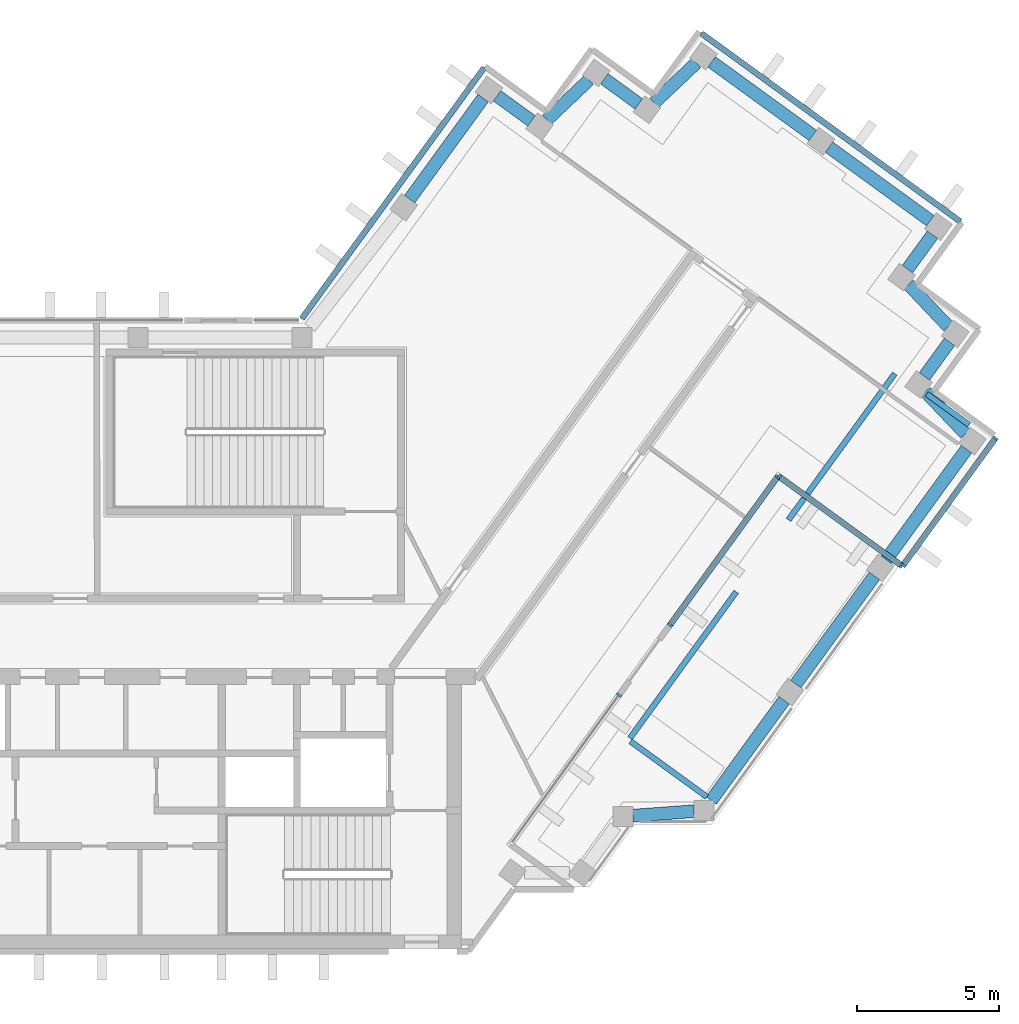
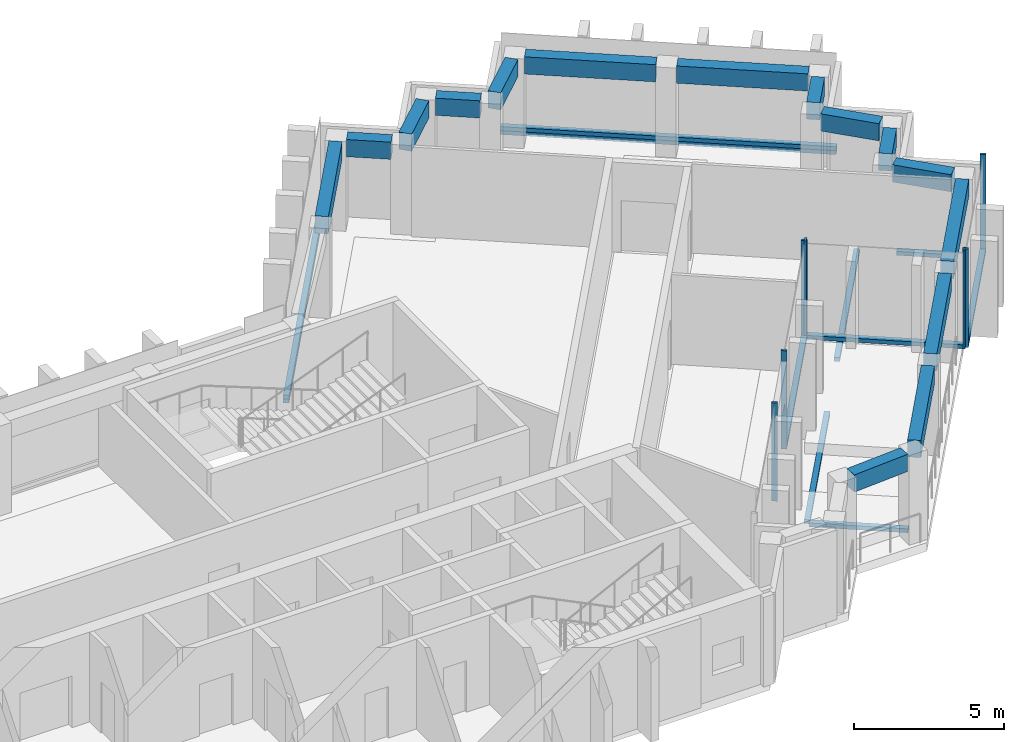
"""IFC4 building model written with IfcOpenShell, lengths in metres."""

from ifc_helpers import new_model, si_unit, direction, frame, origin, origin_2d, place, context, subcontext, project, spatial, rectangle, extrude, material, material_profile, profile_set, type_object, element, aggregate, save


model = new_model("IFC4")

# Units and contexts
model_context = context("Model", 3, precision=1e-05, world=origin(), true_north=direction((0.0, 1.0)))
body_context = subcontext(model_context, "Body", "Model", "MODEL_VIEW")
ifc_project = project(units=[si_unit("LENGTHUNIT", "METRE"), si_unit("AREAUNIT", "SQUARE_METRE"), si_unit("VOLUMEUNIT", "CUBIC_METRE"), si_unit("PLANEANGLEUNIT", "RADIAN"), si_unit("MASSUNIT", "GRAM", prefix="KILO")], contexts=[model_context])

# Site, building, storey
site_placement = place(None, origin())
site = spatial("IfcSite", under=ifc_project, at=site_placement, CompositionType="ELEMENT")
building_placement = place(site_placement, origin())
building = spatial("IfcBuilding", under=site, at=building_placement, Name="Quipu Civic Tower", CompositionType="ELEMENT")
storey_1_placement = place(building_placement, frame((0.0, 0.0, 319.0)))
storey_1 = spatial("IfcBuildingStorey", under=building, at=storey_1_placement, Name="L74", CompositionType="ELEMENT", Elevation=319.0)

# Curtain wall, member
ifc_material_1 = material(Name="Insulated glass unit", Category="glass")
curtain_wall_type = type_object("IfcCurtainWallType", Name="Office curtain wall CW1", PredefinedType="NOTDEFINED", material=ifc_material_1)
curtain_wall_1_placement = place(storey_1_placement, origin())
curtain_wall_1 = element("IfcCurtainWall", 1, at=curtain_wall_1_placement, inside=storey_1, type_object=curtain_wall_type, Name="Office curtain wall CW1 L74 run 3", PredefinedType="NOTDEFINED")
ifc_material_2 = material(Name="Anodised aluminium", Category="aluminium")
ifc_material_profile_1 = material_profile(ifc_material_2, rectangle(XDim=0.199951171875, YDim=0.080078125, at=origin_2d()), Name="RECT 200x80")
ifc_profile_set_1 = profile_set([ifc_material_profile_1], Name="Anodised aluminium")
member_type_1 = type_object("IfcMemberType", Name="Mullion CW1", PredefinedType="MULLION", material=ifc_profile_set_1)
member_1_placement = place(storey_1_placement, frame((25.539306640625, -2.073486328125, 0.080078125), z_axis=(0.0, 0.0, 1.0), x_axis=(-0.809018600878, 0.587783041125, 0.0)))
member_1 = element("IfcMember", 2, at=member_1_placement, type_object=member_type_1, Name="CW1 mullion 2", PredefinedType="MULLION", context=body_context, shape_type="SweptSolid", body=[
    extrude(rectangle(XDim=0.199951171875, YDim=0.080078125, at=origin_2d()), origin(), (0.0, 0.0, 1.0), 4.0),
])
aggregate(curtain_wall_1, [member_1])

# Curtain wall, members
curtain_wall_2_placement = place(storey_1_placement, origin())
curtain_wall_2 = element("IfcCurtainWall", 3, at=curtain_wall_2_placement, inside=storey_1, type_object=curtain_wall_type, Name="Office curtain wall CW1 L74 run 5", PredefinedType="NOTDEFINED")
member_2_placement = place(storey_1_placement, frame((27.327880859375, 0.388427734375, 0.080078125), z_axis=(0.0, 0.0, 1.0), x_axis=(-0.809021906018, 0.587778491936, 0.0)))
member_2 = element("IfcMember", 4, at=member_2_placement, type_object=member_type_1, Name="CW1 mullion 1", PredefinedType="MULLION", context=body_context, shape_type="SweptSolid", body=[
    extrude(rectangle(XDim=0.199951171875, YDim=0.080078125, at=origin_2d()), origin(), (0.0, 0.0, 1.0), 4.0),
])
member_3_placement = place(storey_1_placement, frame((31.1123046875, 5.597412109375, 0.080078125), z_axis=(0.0, 0.0, 1.0), x_axis=(-0.809021906018, 0.587778491936, 0.0)))
member_3 = element("IfcMember", 5, at=member_3_placement, type_object=member_type_1, Name="CW1 mullion 2", PredefinedType="MULLION", context=body_context, shape_type="SweptSolid", body=[
    extrude(rectangle(XDim=0.199951171875, YDim=0.080078125, at=origin_2d()), origin(), (0.0, 0.0, 1.0), 4.0),
])

curtain_wall_3_placement = place(storey_1_placement, origin())
curtain_wall_3 = element("IfcCurtainWall", 6, at=curtain_wall_3_placement, inside=storey_1, type_object=curtain_wall_type, Name="Office curtain wall CW1 L74 run 6", PredefinedType="NOTDEFINED")
member_4_placement = place(storey_1_placement, frame((31.168212890625, 5.606201171875, 0.080078125), z_axis=(0.0, 0.0, 1.0), x_axis=(0.587779635352, 0.809021075291, 0.0)))
member_4 = element("IfcMember", 7, at=member_4_placement, type_object=member_type_1, Name="CW1 mullion 1", PredefinedType="MULLION", context=body_context, shape_type="SweptSolid", body=[
    extrude(rectangle(XDim=0.199951171875, YDim=0.080078125, at=origin_2d()), origin(), (0.0, 0.0, 1.0), 4.0),
])
member_5_placement = place(storey_1_placement, frame((35.47216796875, 2.479248046875, 0.080078125), z_axis=(0.0, 0.0, 1.0), x_axis=(0.587779635352, 0.809021075291, 0.0)))
member_5 = element("IfcMember", 8, at=member_5_placement, type_object=member_type_1, Name="CW1 mullion 2", PredefinedType="MULLION", context=body_context, shape_type="SweptSolid", body=[
    extrude(rectangle(XDim=0.199951171875, YDim=0.080078125, at=origin_2d()), origin(), (0.0, 0.0, 1.0), 4.0),
])

curtain_wall_4_placement = place(storey_1_placement, origin())
curtain_wall_4 = element("IfcCurtainWall", 9, at=curtain_wall_4_placement, inside=storey_1, type_object=curtain_wall_type, Name="Office curtain wall CW1 L74 run 7", PredefinedType="NOTDEFINED")
member_6_placement = place(storey_1_placement, frame((35.528076171875, 2.488037109375, 0.080078125), z_axis=(0.0, 0.0, 1.0), x_axis=(-0.809010903145, 0.587793636059, 0.0)))
member_6 = element("IfcMember", 10, at=member_6_placement, type_object=member_type_1, Name="CW1 mullion 1", PredefinedType="MULLION", context=body_context, shape_type="SweptSolid", body=[
    extrude(rectangle(XDim=0.199951171875, YDim=0.080078125, at=origin_2d()), origin(), (0.0, 0.0, 1.0), 4.0),
])
member_7_placement = place(storey_1_placement, frame((38.772705078125, 6.953857421875, 0.080078125), z_axis=(0.0, 0.0, 1.0), x_axis=(-0.809010903145, 0.587793636059, 0.0)))
member_7 = element("IfcMember", 11, at=member_7_placement, type_object=member_type_1, Name="CW1 mullion 2", PredefinedType="MULLION", context=body_context, shape_type="SweptSolid", body=[
    extrude(rectangle(XDim=0.199951171875, YDim=0.080078125, at=origin_2d()), origin(), (0.0, 0.0, 1.0), 4.0),
])

# Beams
ifc_material_3 = material(Name="Concrete C50/60", Category="concrete")
ifc_material_profile_2 = material_profile(ifc_material_3, rectangle(XDim=0.449951171875, YDim=0.699951171875, at=origin_2d()), Name="RC450x700")
ifc_profile_set_2 = profile_set([ifc_material_profile_2], Name="Concrete C50/60")
beam_type = type_object("IfcBeamType", Name="Spandrel beam RC 450x700 C50/60", PredefinedType="SPANDREL", material=ifc_profile_set_2)
beam_1_placement = place(storey_1_placement, frame((26.0244140625, -6.3115234375, 3.300048828125), z_axis=(0.997379352029, 0.072349347934, 0.0), x_axis=(-0.072349347934, 0.997379352029, 0.0)))
element("IfcBeam", 12, at=beam_1_placement, inside=storey_1, type_object=beam_type, Name="Spandrel beam L74 J-Eo.3 to J-Eo.4", PredefinedType="SPANDREL", context=body_context, shape_type="SweptSolid", body=[
    extrude(rectangle(XDim=0.449951171875, YDim=0.699951171875, at=origin_2d()), origin(), (0.0, 0.0, 1.0), 2.15625),
])
beam_2_placement = place(storey_1_placement, frame((28.779296875, -5.780029296875, 3.300048828125), z_axis=(0.58777550284, 0.809024077677, 0.0), x_axis=(-0.809024077677, 0.58777550284, 0.0)))
element("IfcBeam", 13, at=beam_2_placement, inside=storey_1, type_object=beam_type, Name="Spandrel beam L74 J-Eo.4 to E-OUT-01", PredefinedType="SPANDREL", context=body_context, shape_type="SweptSolid", body=[
    extrude(rectangle(XDim=0.449951171875, YDim=0.699951171875, at=origin_2d()), origin(), (0.0, 0.0, 1.0), 4.36083984375),
])
beam_3_placement = place(storey_1_placement, frame((31.75390625, -1.685546875, 3.300048828125), z_axis=(0.587788656305, 0.809014521204, 0.0), x_axis=(-0.809014521204, 0.587788656305, 0.0)))
element("IfcBeam", 14, at=beam_3_placement, inside=storey_1, type_object=beam_type, Name="Spandrel beam L74 E-OUT-01 to E-OUT-02", PredefinedType="SPANDREL", context=body_context, shape_type="SweptSolid", body=[
    extrude(rectangle(XDim=0.449951171875, YDim=0.699951171875, at=origin_2d()), origin(), (0.0, 0.0, 1.0), 4.7001953125),
])
beam_4_placement = place(storey_1_placement, frame((34.927978515625, 2.68310546875, 3.300048828125), z_axis=(0.587905928359, 0.808929304328, 0.0), x_axis=(-0.808929304328, 0.587905928359, 0.0)))
element("IfcBeam", 15, at=beam_4_placement, inside=storey_1, type_object=beam_type, Name="Spandrel beam L74 E-OUT-02 to T-Eo.0-E22", PredefinedType="SPANDREL", context=body_context, shape_type="SweptSolid", body=[
    extrude(rectangle(XDim=0.449951171875, YDim=0.699951171875, at=origin_2d()), origin(), (0.0, 0.0, 1.0), 4.80712890625),
])
beam_5_placement = place(storey_1_placement, frame((37.71484375, 7.11279296875, 3.300048828125), z_axis=(-0.689175330605, 0.724594620244, 0.0), x_axis=(-0.724594620244, -0.689175330605, 0.0)))
element("IfcBeam", 16, at=beam_5_placement, inside=storey_1, type_object=beam_type, Name="Spandrel beam L74 T-Eo.0-E22 to T-Eo.1-E22", PredefinedType="SPANDREL", context=body_context, shape_type="SweptSolid", body=[
    extrude(rectangle(XDim=0.449951171875, YDim=0.699951171875, at=origin_2d()), origin(), (0.0, 0.0, 1.0), 2.033447265625),
])
beam_6_placement = place(storey_1_placement, frame((36.273681640625, 9.12744140625, 3.300048828125), z_axis=(0.587164895097, 0.809467347066, 0.0), x_axis=(-0.809467347066, 0.587164895097, 0.0)))
element("IfcBeam", 17, at=beam_6_placement, inside=storey_1, type_object=beam_type, Name="Spandrel beam L74 T-Eo.1-E22 to T-Eo.2-E22", PredefinedType="SPANDREL", context=body_context, shape_type="SweptSolid", body=[
    extrude(rectangle(XDim=0.449951171875, YDim=0.699951171875, at=origin_2d()), origin(), (0.0, 0.0, 1.0), 1.500244140625),
])
beam_7_placement = place(storey_1_placement, frame((37.114990234375, 10.88330078125, 3.300048828125), z_axis=(-0.688247466856, 0.725475998477, 0.0), x_axis=(-0.725475998477, -0.688247466856, 0.0)))
element("IfcBeam", 18, at=beam_7_placement, inside=storey_1, type_object=beam_type, Name="Spandrel beam L74 T-Eo.2-E22 to T-Eo.3-E22", PredefinedType="SPANDREL", context=body_context, shape_type="SweptSolid", body=[
    extrude(rectangle(XDim=0.449951171875, YDim=0.699951171875, at=origin_2d()), origin(), (0.0, 0.0, 1.0), 2.032958984375),
])
beam_8_placement = place(storey_1_placement, frame((35.6767578125, 12.8994140625, 3.300048828125), z_axis=(0.588345920092, 0.808609348394, 0.0), x_axis=(-0.808609348394, 0.588345920092, 0.0)))
element("IfcBeam", 19, at=beam_8_placement, inside=storey_1, type_object=beam_type, Name="Spandrel beam L74 T-Eo.3-E22 to T-Eo.4-E22", PredefinedType="SPANDREL", context=body_context, shape_type="SweptSolid", body=[
    extrude(rectangle(XDim=0.449951171875, YDim=0.699951171875, at=origin_2d()), origin(), (0.0, 0.0, 1.0), 1.499755859375),
])
beam_9_placement = place(storey_1_placement, frame((36.481689453125, 14.6005859375, 3.300048828125), z_axis=(-0.809117270763, 0.587647208921, 0.0), x_axis=(-0.587647208921, -0.809117270763, 0.0)))
element("IfcBeam", 20, at=beam_9_placement, inside=storey_1, type_object=beam_type, Name="Spandrel beam L74 T-Eo.4-E22 to TIP-E-01-E22", PredefinedType="SPANDREL", context=body_context, shape_type="SweptSolid", body=[
    extrude(rectangle(XDim=0.449951171875, YDim=0.699951171875, at=origin_2d()), origin(), (0.0, 0.0, 1.0), 4.40185546875),
])
beam_10_placement = place(storey_1_placement, frame((32.353759765625, 17.5986328125, 3.300048828125), z_axis=(-0.809146152767, 0.587607439931, 0.0), x_axis=(-0.587607439931, -0.809146152767, 0.0)))
element("IfcBeam", 21, at=beam_10_placement, inside=storey_1, type_object=beam_type, Name="Spandrel beam L74 TIP-E-01-E22 to T-Ei.0-E22", PredefinedType="SPANDREL", context=body_context, shape_type="SweptSolid", body=[
    extrude(rectangle(XDim=0.449951171875, YDim=0.699951171875, at=origin_2d()), origin(), (0.0, 0.0, 1.0), 4.400390625),
])
beam_11_placement = place(storey_1_placement, frame((28.251708984375, 20.14501953125, 3.300048828125), z_axis=(-0.725359138958, -0.688370626574, 0.0), x_axis=(0.688370626574, -0.725359138958, 0.0)))
element("IfcBeam", 22, at=beam_11_placement, inside=storey_1, type_object=beam_type, Name="Spandrel beam L74 T-Ei.0-E22 to T-Ei.1-E22", PredefinedType="SPANDREL", context=body_context, shape_type="SweptSolid", body=[
    extrude(rectangle(XDim=0.449951171875, YDim=0.699951171875, at=origin_2d()), origin(), (0.0, 0.0, 1.0), 2.032958984375),
])
beam_12_placement = place(storey_1_placement, frame((26.236083984375, 18.70654296875, 3.300048828125), z_axis=(-0.808644589435, 0.588297482553, 0.0), x_axis=(-0.588297482553, -0.808644589435, 0.0)))
element("IfcBeam", 23, at=beam_12_placement, inside=storey_1, type_object=beam_type, Name="Spandrel beam L74 T-Ei.1-E22 to T-Ei.2-E22", PredefinedType="SPANDREL", context=body_context, shape_type="SweptSolid", body=[
    extrude(rectangle(XDim=0.449951171875, YDim=0.699951171875, at=origin_2d()), origin(), (0.0, 0.0, 1.0), 1.500244140625),
])
beam_13_placement = place(storey_1_placement, frame((24.48193359375, 19.5498046875, 3.300048828125), z_axis=(-0.72511931772, -0.6886232461, 0.0), x_axis=(0.6886232461, -0.72511931772, 0.0)))
element("IfcBeam", 24, at=beam_13_placement, inside=storey_1, type_object=beam_type, Name="Spandrel beam L74 T-Ei.2-E22 to T-Ei.3-E22", PredefinedType="SPANDREL", context=body_context, shape_type="SweptSolid", body=[
    extrude(rectangle(XDim=0.449951171875, YDim=0.699951171875, at=origin_2d()), origin(), (0.0, 0.0, 1.0), 2.03369140625),
])
beam_14_placement = place(storey_1_placement, frame((22.466064453125, 18.10986328125, 3.300048828125), z_axis=(-0.809461336076, 0.587173181776, 0.0), x_axis=(-0.587173181776, -0.809461336076, 0.0)))
element("IfcBeam", 25, at=beam_14_placement, inside=storey_1, type_object=beam_type, Name="Spandrel beam L74 T-Ei.3-E22 to T-Ei.4-E22", PredefinedType="SPANDREL", context=body_context, shape_type="SweptSolid", body=[
    extrude(rectangle(XDim=0.449951171875, YDim=0.699951171875, at=origin_2d()), origin(), (0.0, 0.0, 1.0), 1.498046875),
])
beam_15_placement = place(storey_1_placement, frame((20.76416015625, 18.911865234375, 3.300048828125), z_axis=(-0.588201428764, -0.808714460857, 0.0), x_axis=(0.808714460857, -0.588201428764, 0.0)))
element("IfcBeam", 26, at=beam_15_placement, inside=storey_1, type_object=beam_type, Name="Spandrel beam L74 T-Ei.4-E22 to E-IN-01", PredefinedType="SPANDREL", context=body_context, shape_type="SweptSolid", body=[
    extrude(rectangle(XDim=0.449951171875, YDim=0.699951171875, at=origin_2d()), origin(), (0.0, 0.0, 1.0), 4.394287109375),
])

# Storey
storey_2_placement = place(building_placement, frame((0.0, 0.0, 311.0)))
storey_2 = spatial("IfcBuildingStorey", under=building, at=storey_2_placement, Name="L72", CompositionType="ELEMENT", Elevation=311.0)

# Curtain wall, member
curtain_wall_5_placement = place(storey_2_placement, origin())
curtain_wall_5 = element("IfcCurtainWall", 27, at=curtain_wall_5_placement, inside=storey_2, type_object=curtain_wall_type, Name="Office curtain wall CW1 L71 run 6", PredefinedType="NOTDEFINED")
ifc_material_4 = material(Name="Anodised aluminium", Category="aluminium")
ifc_material_profile_3 = material_profile(ifc_material_4, rectangle(XDim=0.199951171875, YDim=0.159912109375, at=origin_2d()), Name="RECT 200x160")
ifc_profile_set_3 = profile_set([ifc_material_profile_3], Name="Anodised aluminium")
member_type_2 = type_object("IfcMemberType", Name="Transom CW1", PredefinedType="USERDEFINED", material=ifc_profile_set_3)
member_8_placement = place(storey_1_placement, frame((37.536865234375, 14.575927734375, 0.0), z_axis=(-0.809022463805, 0.587777724194, 0.0), x_axis=(-0.587777724194, -0.809022463805, 0.0)))
member_8 = element("IfcMember", 28, at=member_8_placement, inside=storey_1, type_object=member_type_2, Name="CW1 transom 1.4", ObjectType="TRANSOM", PredefinedType="USERDEFINED", context=body_context, shape_type="SweptSolid", body=[
    extrude(rectangle(XDim=0.199951171875, YDim=0.159912109375, at=origin_2d()), origin(), (0.0, 0.0, 1.0), 11.240234375),
])
aggregate(curtain_wall_5, [member_8])

curtain_wall_6_placement = place(storey_2_placement, origin())
curtain_wall_6 = element("IfcCurtainWall", 29, at=curtain_wall_6_placement, inside=storey_2, type_object=curtain_wall_type, Name="Office curtain wall CW1 L71 run 11", PredefinedType="NOTDEFINED")
member_9_placement = place(storey_1_placement, frame((20.788818359375, 19.97021484375, 0.0), z_axis=(-0.587796859727, -0.809008560953, 0.0), x_axis=(0.809008560953, -0.587796859727, 0.0)))
member_9 = element("IfcMember", 30, at=member_9_placement, inside=storey_1, type_object=member_type_2, Name="CW1 transom 1.4", ObjectType="TRANSOM", PredefinedType="USERDEFINED", context=body_context, shape_type="SweptSolid", body=[
    extrude(rectangle(XDim=0.199951171875, YDim=0.159912109375, at=origin_2d()), origin(), (0.0, 0.0, 1.0), 10.88427734375),
])
aggregate(curtain_wall_6, [member_9])

# Storey
storey_3_placement = place(building_placement, frame((0.0, 0.0, 315.0)))
storey_3 = spatial("IfcBuildingStorey", under=building, at=storey_3_placement, Name="L73", CompositionType="ELEMENT", Elevation=315.0)

# Curtain wall, member
curtain_wall_7_placement = place(storey_3_placement, origin())
curtain_wall_7 = element("IfcCurtainWall", 31, at=curtain_wall_7_placement, inside=storey_3, type_object=curtain_wall_type, Name="Office curtain wall CW1 L73 run 3", PredefinedType="NOTDEFINED")
member_10_placement = place(storey_1_placement, frame((28.630126953125, -5.652099609375, 0.0), z_axis=(-0.809012312399, 0.587791696426, 0.0), x_axis=(-0.587791696426, -0.809012312399, 0.0)))
member_10 = element("IfcMember", 32, at=member_10_placement, inside=storey_1, type_object=member_type_2, Name="CW1 transom 1.2", ObjectType="TRANSOM", PredefinedType="USERDEFINED", context=body_context, shape_type="SweptSolid", body=[
    extrude(rectangle(XDim=0.199951171875, YDim=0.159912109375, at=origin_2d()), origin(), (0.0, 0.0, 1.0), 3.323974609375),
])
aggregate(curtain_wall_7, [member_10])

curtain_wall_8_placement = place(storey_3_placement, origin())
curtain_wall_8 = element("IfcCurtainWall", 33, at=curtain_wall_8_placement, inside=storey_3, type_object=curtain_wall_type, Name="Office curtain wall CW1 L73 run 4", PredefinedType="NOTDEFINED")
member_11_placement = place(storey_1_placement, frame((25.923095703125, -3.58642578125, 0.0), z_axis=(0.587804073239, 0.809003319822, 0.0), x_axis=(-0.809003319822, 0.587804073239, 0.0)))
member_11 = element("IfcMember", 34, at=member_11_placement, inside=storey_1, type_object=member_type_2, Name="CW1 transom 1.2", ObjectType="TRANSOM", PredefinedType="USERDEFINED", context=body_context, shape_type="SweptSolid", body=[
    extrude(rectangle(XDim=0.199951171875, YDim=0.159912109375, at=origin_2d()), origin(), (0.0, 0.0, 1.0), 6.3583984375),
])
aggregate(curtain_wall_8, [member_11])

curtain_wall_9_placement = place(storey_3_placement, origin())
curtain_wall_9 = element("IfcCurtainWall", 35, at=curtain_wall_9_placement, inside=storey_3, type_object=curtain_wall_type, Name="Office curtain wall CW1 L73 run 6", PredefinedType="NOTDEFINED")
member_12_placement = place(storey_1_placement, frame((31.496337890625, 4.084228515625, 0.0), z_axis=(0.587778942742, 0.809021578494, 0.0), x_axis=(-0.809021578494, 0.587778942742, 0.0)))
member_12 = element("IfcMember", 36, at=member_12_placement, inside=storey_1, type_object=member_type_2, Name="CW1 transom 1.2", ObjectType="TRANSOM", PredefinedType="USERDEFINED", context=body_context, shape_type="SweptSolid", body=[
    extrude(rectangle(XDim=0.199951171875, YDim=0.159912109375, at=origin_2d()), origin(), (0.0, 0.0, 1.0), 6.3583984375),
])
aggregate(curtain_wall_9, [member_12])

curtain_wall_10_placement = place(storey_3_placement, origin())
curtain_wall_10 = element("IfcCurtainWall", 37, at=curtain_wall_10_placement, inside=storey_3, type_object=curtain_wall_type, Name="Office curtain wall CW1 L73 run 8", PredefinedType="NOTDEFINED")
member_13_placement = place(storey_1_placement, frame((36.357421875, 8.5107421875, 0.0), z_axis=(0.809017199524, -0.587784969929, 0.0), x_axis=(0.587784969929, 0.809017199524, 0.0)))
member_13 = element("IfcMember", 38, at=member_13_placement, inside=storey_1, type_object=member_type_2, Name="CW1 transom 1.2", ObjectType="TRANSOM", PredefinedType="USERDEFINED", context=body_context, shape_type="SweptSolid", body=[
    extrude(rectangle(XDim=0.199951171875, YDim=0.159912109375, at=origin_2d()), origin(), (0.0, 0.0, 1.0), 1.839599609375),
])
aggregate(curtain_wall_10, [member_13])

# Member
member_14_placement = place(storey_1_placement, frame((27.351318359375, 0.420654296875, 0.159912109375), z_axis=(0.587785815007, 0.809016585539, 0.0), x_axis=(-0.809016585539, 0.587785815007, 0.0)))
member_14 = element("IfcMember", 39, at=member_14_placement, type_object=member_type_2, Name="CW1 transom 1.1", ObjectType="TRANSOM", PredefinedType="USERDEFINED", context=body_context, shape_type="SweptSolid", body=[
    extrude(rectangle(XDim=0.199951171875, YDim=0.159912109375, at=origin_2d()), origin(), (0.0, 0.0, 1.0), 6.358642578125),
])

aggregate(curtain_wall_2, [member_2, member_3, member_14])

member_15_placement = place(storey_1_placement, frame((31.200439453125, 5.582763671875, 0.159912109375), z_axis=(0.809010003307, -0.587794874552, 0.0), x_axis=(0.587794874552, 0.809010003307, 0.0)))
member_15 = element("IfcMember", 40, at=member_15_placement, type_object=member_type_2, Name="CW1 transom 1.1", ObjectType="TRANSOM", PredefinedType="USERDEFINED", context=body_context, shape_type="SweptSolid", body=[
    extrude(rectangle(XDim=0.199951171875, YDim=0.159912109375, at=origin_2d()), origin(), (0.0, 0.0, 1.0), 5.239990234375),
])

aggregate(curtain_wall_3, [member_4, member_5, member_15])

member_16_placement = place(storey_1_placement, frame((35.551513671875, 2.5205078125, 0.159912109375), z_axis=(0.587795368516, 0.809009644412, 0.0), x_axis=(-0.809009644412, 0.587795368516, 0.0)))
member_16 = element("IfcMember", 41, at=member_16_placement, type_object=member_type_2, Name="CW1 transom 1.1", ObjectType="TRANSOM", PredefinedType="USERDEFINED", context=body_context, shape_type="SweptSolid", body=[
    extrude(rectangle(XDim=0.199951171875, YDim=0.159912109375, at=origin_2d()), origin(), (0.0, 0.0, 1.0), 5.43994140625),
])

aggregate(curtain_wall_4, [member_6, member_7, member_16])

# Storey
storey_4_placement = place(building_placement, frame((0.0, 0.0, 323.0)))
storey_4 = spatial("IfcBuildingStorey", under=building, at=storey_4_placement, Name="L75", CompositionType="ELEMENT", Elevation=323.0)

# Curtain wall, member
curtain_wall_11_placement = place(storey_4_placement, origin())
curtain_wall_11 = element("IfcCurtainWall", 42, at=curtain_wall_11_placement, inside=storey_4, type_object=curtain_wall_type, Name="Office curtain wall CW1 L74 run 28", PredefinedType="NOTDEFINED")
member_17_placement = place(storey_1_placement, frame((37.536865234375, 14.575927734375, 0.159912109375), z_axis=(-0.809022463805, 0.587777724194, 0.0), x_axis=(-0.587777724194, -0.809022463805, 0.0)))
member_17 = element("IfcMember", 43, at=member_17_placement, inside=storey_1, type_object=member_type_2, Name="CW1 transom 1.1", ObjectType="TRANSOM", PredefinedType="USERDEFINED", context=body_context, shape_type="SweptSolid", body=[
    extrude(rectangle(XDim=0.199951171875, YDim=0.159912109375, at=origin_2d()), origin(), (0.0, 0.0, 1.0), 11.240234375),
])
aggregate(curtain_wall_11, [member_17])

curtain_wall_12_placement = place(storey_4_placement, origin())
curtain_wall_12 = element("IfcCurtainWall", 44, at=curtain_wall_12_placement, inside=storey_4, type_object=curtain_wall_type, Name="Office curtain wall CW1 L74 run 33", PredefinedType="NOTDEFINED")
member_18_placement = place(storey_1_placement, frame((20.788818359375, 19.97021484375, 0.159912109375), z_axis=(-0.587796859727, -0.809008560953, 0.0), x_axis=(0.809008560953, -0.587796859727, 0.0)))
member_18 = element("IfcMember", 45, at=member_18_placement, inside=storey_1, type_object=member_type_2, Name="CW1 transom 1.1", ObjectType="TRANSOM", PredefinedType="USERDEFINED", context=body_context, shape_type="SweptSolid", body=[
    extrude(rectangle(XDim=0.199951171875, YDim=0.159912109375, at=origin_2d()), origin(), (0.0, 0.0, 1.0), 10.88427734375),
])
aggregate(curtain_wall_12, [member_18])

save(model, "model.ifc")
